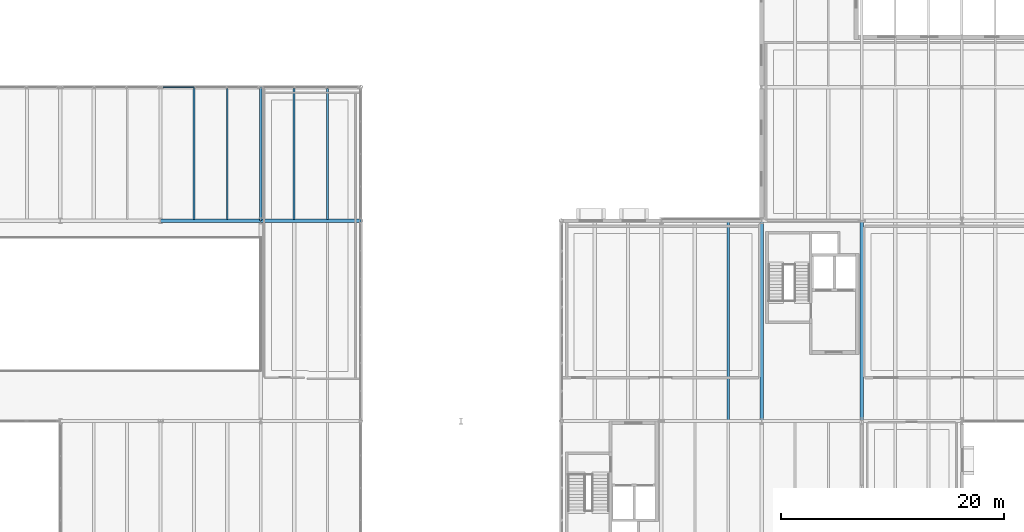
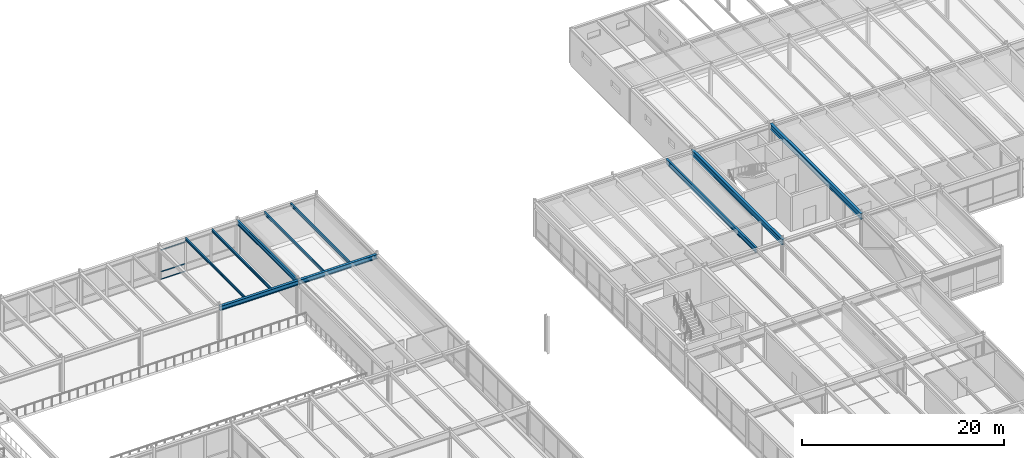
# One storey, part 77 of 127: 10 beams, 3 members, 1 element without a shape of its own.
"""IFC4 building model written with IfcOpenShell, lengths in metres."""

from ifc_helpers import new_model, si_unit, direction, frame, origin, origin_2d, place, context, subcontext, project, spatial, hollow_rectangle, i_section, extrude, material, layer, layer_set, material_profile, profile_set, type_object, element, aggregate, save


model = new_model("IFC4")

# Units and contexts
model_context = context("Model", 3, precision=1e-05, world=origin(), true_north=direction((0.0, 1.0)))
body_context = subcontext(model_context, "Body", "Model", "MODEL_VIEW")
ifc_project = project(units=[si_unit("LENGTHUNIT", "METRE"), si_unit("AREAUNIT", "SQUARE_METRE"), si_unit("VOLUMEUNIT", "CUBIC_METRE"), si_unit("PLANEANGLEUNIT", "RADIAN"), si_unit("MASSUNIT", "GRAM", prefix="KILO")], contexts=[model_context])

# Site, building, storey
site_placement = place(None, origin())
site = spatial("IfcSite", under=ifc_project, at=site_placement, CompositionType="ELEMENT")
building_placement = place(site_placement, origin())
building = spatial("IfcBuilding", under=site, at=building_placement, Name="Montelvaro Courts of Justice", CompositionType="ELEMENT")
storey_placement = place(building_placement, frame((0.0, 0.0, 5.39990234375)))
storey = spatial("IfcBuildingStorey", under=building, at=storey_placement, Name="L01", CompositionType="ELEMENT", Elevation=5.39990234375)

# Beams
ifc_material_1 = material(Name="Steel S355", Category="steel")
ifc_material_profile_1 = material_profile(ifc_material_1, i_section(OverallWidth=0.300048828125, OverallDepth=0.5400390625, WebThickness=0.012451171875, FlangeThickness=0.02392578125, at=origin_2d()), Name="HEA 550")
ifc_profile_set_1 = profile_set([ifc_material_profile_1], Name="Steel S355")
beam_type_1 = type_object("IfcBeamType", Name="Beam_HEA550", PredefinedType="USERDEFINED", material=ifc_profile_set_1)
for number, where, z_axis, x_axis, name in (
    (1, (63.0, 96.0, 3.91015625), (1.0, 0.0, 0.0), (0.0, 1.0, 0.0), "Beam B-20 L01"),
    (2, (72.0, 96.0, 3.91015625), (1.0, 0.0, 0.0), (0.0, 1.0, 0.0), "Beam B-20 L01"),
):
    element("IfcBeam", number, at=place(storey_placement, frame(where, z_axis=z_axis, x_axis=x_axis)), inside=storey, type_object=beam_type_1, Name=name, ObjectType="GIRDER", PredefinedType="USERDEFINED", context=body_context, shape_type="SweptSolid", body=[
        extrude(i_section(OverallWidth=0.300048828125, OverallDepth=0.5400390625, WebThickness=0.012451171875, FlangeThickness=0.02392578125, at=origin_2d()), origin(), (0.0, 0.0, 1.0), 9.0),
    ])
ifc_material_profile_2 = material_profile(ifc_material_1, i_section(OverallWidth=0.300048828125, OverallDepth=0.64990234375, WebThickness=0.01611328125, FlangeThickness=0.031005859375, at=origin_2d()), Name="HEB 650")
ifc_profile_set_2 = profile_set([ifc_material_profile_2], Name="Steel S355")
beam_type_2 = type_object("IfcBeamType", Name="Beam_HEB650", PredefinedType="USERDEFINED", material=ifc_profile_set_2)
beam_1_placement = place(storey_placement, frame((117.0, 78.0, 3.875), z_axis=(0.0, 1.0, 0.0), x_axis=(-1.0, 0.0, 0.0)))
element("IfcBeam", 3, at=beam_1_placement, inside=storey, type_object=beam_type_2, Name="Beam B-27 L01", ObjectType="GIRDER", PredefinedType="USERDEFINED", context=body_context, shape_type="SweptSolid", body=[
    extrude(i_section(OverallWidth=0.300048828125, OverallDepth=0.64990234375, WebThickness=0.01611328125, FlangeThickness=0.031005859375, at=origin_2d()), origin(), (0.0, 0.0, 1.0), 18.0),
])
ifc_material_profile_3 = material_profile(ifc_material_1, i_section(OverallWidth=0.300048828125, OverallDepth=0.699951171875, WebThickness=0.01708984375, FlangeThickness=0.031982421875, at=origin_2d()), Name="HEB 700")
ifc_profile_set_3 = profile_set([ifc_material_profile_3], Name="Steel S355")
beam_type_3 = type_object("IfcBeamType", Name="Beam_HEB700", PredefinedType="USERDEFINED", material=ifc_profile_set_3)
beam_2_placement = place(storey_placement, frame((126.0, 78.0, 3.85009765625), z_axis=(0.0, 1.0, 0.0), x_axis=(-1.0, 0.0, 0.0)))
element("IfcBeam", 4, at=beam_2_placement, inside=storey, type_object=beam_type_3, Name="Beam B-28 L01", ObjectType="GIRDER", PredefinedType="USERDEFINED", context=body_context, shape_type="SweptSolid", body=[
    extrude(i_section(OverallWidth=0.300048828125, OverallDepth=0.699951171875, WebThickness=0.01708984375, FlangeThickness=0.031982421875, at=origin_2d()), origin(), (0.0, 0.0, 1.0), 18.0),
])
ifc_material_profile_4 = material_profile(ifc_material_1, i_section(OverallWidth=0.14990234375, OverallDepth=0.300048828125, WebThickness=0.007080078125, FlangeThickness=0.0107421875, at=origin_2d()), Name="IPE 300")
ifc_profile_set_4 = profile_set([ifc_material_profile_4], Name="Steel S355")
beam_type_4 = type_object("IfcBeamType", Name="Beam_IPE300", PredefinedType="BEAM", material=ifc_profile_set_4)
beam_3_placement = place(storey_placement, frame((66.0, 96.110107421875, 4.030029296875), z_axis=(0.0, 1.0, 0.0), x_axis=(-1.0, 0.0, 0.0)))
element("IfcBeam", 5, at=beam_3_placement, inside=storey, type_object=beam_type_4, Name="Beam B-05 L01", PredefinedType="BEAM", context=body_context, shape_type="SweptSolid", body=[
    extrude(i_section(OverallWidth=0.14990234375, OverallDepth=0.300048828125, WebThickness=0.007080078125, FlangeThickness=0.0107421875, at=origin_2d()), origin(), (0.0, 0.0, 1.0), 11.77978515625),
])
ifc_material_profile_5 = material_profile(ifc_material_1, i_section(OverallWidth=0.159912109375, OverallDepth=0.330078125, WebThickness=0.007568359375, FlangeThickness=0.011474609375, at=origin_2d()), Name="IPE 330")
ifc_profile_set_5 = profile_set([ifc_material_profile_5], Name="Steel S355")
beam_type_5 = type_object("IfcBeamType", Name="Beam_IPE330", PredefinedType="BEAM", material=ifc_profile_set_5)
for number, where, z_axis, x_axis, name in (
    (6, (69.0, 96.110107421875, 4.01513671875), (0.0, 1.0, 0.0), (-1.0, 0.0, 0.0), "Beam B-06 L01"),
    (7, (75.0, 96.110107421875, 4.01513671875), (0.0, 1.0, 0.0), (-1.0, 0.0, 0.0), "Beam B-06 L01"),
):
    element("IfcBeam", number, at=place(storey_placement, frame(where, z_axis=z_axis, x_axis=x_axis)), inside=storey, type_object=beam_type_5, Name=name, PredefinedType="BEAM", context=body_context, shape_type="SweptSolid", body=[
        extrude(i_section(OverallWidth=0.159912109375, OverallDepth=0.330078125, WebThickness=0.007568359375, FlangeThickness=0.011474609375, at=origin_2d()), origin(), (0.0, 0.0, 1.0), 11.77978515625),
    ])
ifc_material_profile_6 = material_profile(ifc_material_1, i_section(OverallWidth=0.169921875, OverallDepth=0.360107421875, WebThickness=0.008056640625, FlangeThickness=0.0126953125, at=origin_2d()), Name="IPE 360")
ifc_profile_set_6 = profile_set([ifc_material_profile_6], Name="Steel S355")
beam_type_6 = type_object("IfcBeamType", Name="Beam_IPE360", PredefinedType="BEAM", material=ifc_profile_set_6)
beam_4_placement = place(storey_placement, frame((78.0, 96.110107421875, 4.0), z_axis=(0.0, 1.0, 0.0), x_axis=(-1.0, 0.0, 0.0)))
element("IfcBeam", 8, at=beam_4_placement, inside=storey, type_object=beam_type_6, Name="Beam B-07 L01", PredefinedType="BEAM", context=body_context, shape_type="SweptSolid", body=[
    extrude(i_section(OverallWidth=0.169921875, OverallDepth=0.360107421875, WebThickness=0.008056640625, FlangeThickness=0.0126953125, at=origin_2d()), origin(), (0.0, 0.0, 1.0), 11.77978515625),
])
ifc_material_profile_7 = material_profile(ifc_material_1, i_section(OverallWidth=0.2099609375, OverallDepth=0.550048828125, WebThickness=0.010986328125, FlangeThickness=0.01708984375, at=origin_2d()), Name="IPE 550")
ifc_profile_set_7 = profile_set([ifc_material_profile_7], Name="Steel S355")
beam_type_7 = type_object("IfcBeamType", Name="Beam_IPE550", PredefinedType="BEAM", material=ifc_profile_set_7)
beam_5_placement = place(storey_placement, frame((72.0, 96.0, 3.905029296875), z_axis=(0.0, 1.0, 0.0), x_axis=(-1.0, 0.0, 0.0)))
element("IfcBeam", 9, at=beam_5_placement, inside=storey, type_object=beam_type_7, Name="Beam B-11 L01", PredefinedType="BEAM", context=body_context, shape_type="SweptSolid", body=[
    extrude(i_section(OverallWidth=0.2099609375, OverallDepth=0.550048828125, WebThickness=0.010986328125, FlangeThickness=0.01708984375, at=origin_2d()), origin(), (0.0, 0.0, 1.0), 12.0),
])
ifc_material_profile_8 = material_profile(ifc_material_1, i_section(OverallWidth=0.219970703125, OverallDepth=0.60009765625, WebThickness=0.011962890625, FlangeThickness=0.01904296875, at=origin_2d()), Name="IPE 600")
ifc_profile_set_8 = profile_set([ifc_material_profile_8], Name="Steel S355")
beam_type_8 = type_object("IfcBeamType", Name="Beam_IPE600", PredefinedType="USERDEFINED", material=ifc_profile_set_8)
beam_6_placement = place(storey_placement, frame((114.0, 78.110107421875, 3.900146484375), z_axis=(0.0, 1.0, 0.0), x_axis=(-1.0, 0.0, 0.0)))
element("IfcBeam", 10, at=beam_6_placement, inside=storey, type_object=beam_type_8, Name="Beam B-12 L01", ObjectType="GIRDER", PredefinedType="USERDEFINED", context=body_context, shape_type="SweptSolid", body=[
    extrude(i_section(OverallWidth=0.219970703125, OverallDepth=0.60009765625, WebThickness=0.011962890625, FlangeThickness=0.01904296875, at=origin_2d()), origin(), (0.0, 0.0, 1.0), 17.77978515625),
])

# Curtain wall, members
ifc_material_2 = material(Name="Anodised aluminium EN AW-6063", Category="aluminium")
ifc_layer = layer(ifc_material_2, 0.159912109375)
ifc_layer_set = layer_set([ifc_layer], Name="Anodised aluminium EN AW-6063")
curtain_wall_type = type_object("IfcCurtainWallType", Name="CurtainWall_18_868x418", PredefinedType="USERDEFINED", material=ifc_layer_set)
curtain_wall_placement = place(storey_placement, origin())
curtain_wall = element("IfcCurtainWall", 11, at=curtain_wall_placement, inside=storey, type_object=curtain_wall_type, Name="Curtain Wall CW-18 (L01)", ObjectType="CURTAIN WALL", PredefinedType="USERDEFINED")
ifc_material_profile_9 = material_profile(ifc_material_2, hollow_rectangle(XDim=0.06005859375, YDim=0.1298828125, WallThickness=0.00390625, at=origin_2d()), Name="ALU-T 60x130")
ifc_profile_set_9 = profile_set([ifc_material_profile_9], Name="Anodised aluminium EN AW-6063")
member_type = type_object("IfcMemberType", Name="CurtainWall_Transom_60x130", PredefinedType="USERDEFINED", material=ifc_profile_set_9)
member_1_placement = place(storey_placement, frame((66.015869140625, 108.0, 0.030029296875), z_axis=(-1.0, 0.0, 0.0), x_axis=(0.0, -1.0, 0.0)))
member_1 = element("IfcMember", 12, at=member_1_placement, type_object=member_type, Name="CW-18 transom 3.1", ObjectType="TRANSOM", PredefinedType="USERDEFINED", context=body_context, shape_type="SweptSolid", body=[
    extrude(hollow_rectangle(XDim=0.06005859375, YDim=0.1298828125, WallThickness=0.00390625, at=origin_2d()), origin(), (0.0, 0.0, 1.0), 2.7958984375),
])
member_2_placement = place(storey_placement, frame((66.015869140625, 108.0, 0.9501953125), z_axis=(-1.0, 0.0, 0.0), x_axis=(0.0, -1.0, 0.0)))
member_2 = element("IfcMember", 13, at=member_2_placement, type_object=member_type, Name="CW-18 transom 3.2", ObjectType="TRANSOM", PredefinedType="USERDEFINED", context=body_context, shape_type="SweptSolid", body=[
    extrude(hollow_rectangle(XDim=0.06005859375, YDim=0.1298828125, WallThickness=0.00390625, at=origin_2d()), origin(), (0.0, 0.0, 1.0), 2.7958984375),
])
member_3_placement = place(storey_placement, frame((66.015869140625, 108.0, 3.55517578125), z_axis=(-1.0, 0.0, 0.0), x_axis=(0.0, -1.0, 0.0)))
member_3 = element("IfcMember", 14, at=member_3_placement, type_object=member_type, Name="CW-18 transom 3.3", ObjectType="TRANSOM", PredefinedType="USERDEFINED", context=body_context, shape_type="SweptSolid", body=[
    extrude(hollow_rectangle(XDim=0.06005859375, YDim=0.1298828125, WallThickness=0.00390625, at=origin_2d()), origin(), (0.0, 0.0, 1.0), 2.7958984375),
])
aggregate(curtain_wall, [member_1, member_2, member_3])

save(model, "model.ifc")
